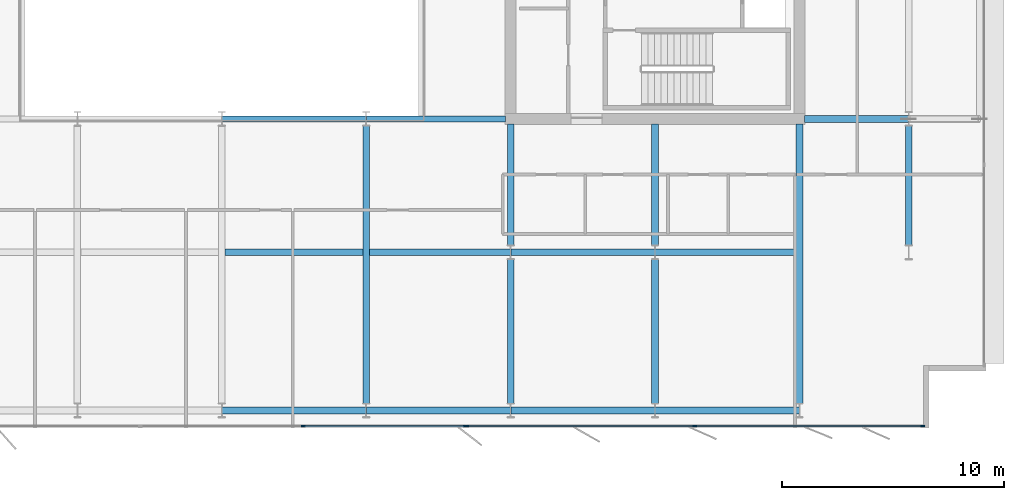
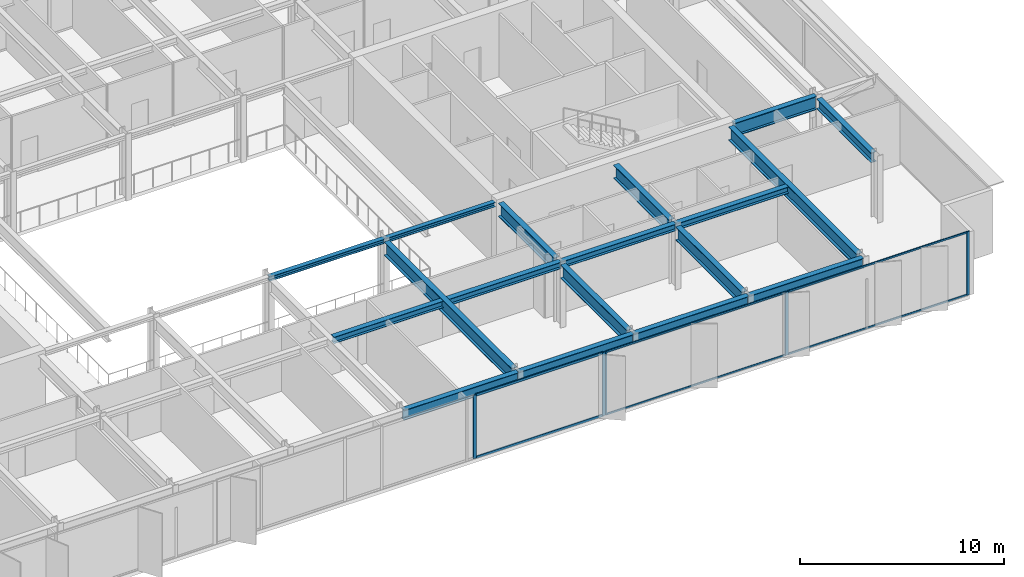
# One storey, part 6 of 20: 18 beams, 11 members, 2 elements without a shape of their own.
"""IFC4 building model written with IfcOpenShell, lengths in metres."""

import ifcopenshell
import ifcopenshell.guid

model = None  # the IFC model being written
_history = None  # IfcOwnerHistory: only IFC2X3 demands one
_inside = {}  # id of a spatial element -> (the spatial element, [elements in it])
_under = {}  # id of a project, library or spatial element -> (it, [spatial elements below it])
_declared = {}  # id of a project -> (the project, [libraries it declares])
_typed = {}  # id of a type object -> (the type object, [elements of that type])
_made_of = {}  # id of a material, layer set ... -> (it, [elements and type objects made of it])


def new_model(schema):
    """Start an empty IFC model of exactly this schema.

    Asked for "IFC4X3", IfcOpenShell would pick the latest addendum, in which some entities
    have other attributes; the version numbers below select the first issue.
    IFC2X3 requires an IfcOwnerHistory on every rooted entity: one is made here for all.
    """
    global model, _history
    if schema == "IFC4X3":
        model = ifcopenshell.file(schema_version=(4, 3, 0, 0))
    else:
        model = ifcopenshell.file(schema=schema)
    _inside.clear()
    _under.clear()
    _declared.clear()
    _typed.clear()
    _made_of.clear()
    _history = None
    if model.schema == "IFC2X3":
        org = make("IfcOrganization", Name="unknown")
        user = make(
            "IfcPersonAndOrganization",
            ThePerson=make("IfcPerson", FamilyName="unknown"),
            TheOrganization=org,
        )
        app = make(
            "IfcApplication",
            ApplicationDeveloper=org,
            Version="unknown",
            ApplicationFullName="unknown",
            ApplicationIdentifier="unknown",
        )
        _history = make(
            "IfcOwnerHistory",
            OwningUser=user,
            OwningApplication=app,
            ChangeAction="ADDED",
            CreationDate=0,
        )
    return model


def make(cls, **values):
    """One entity of the class cls with the attributes given. An attribute that is None is left unset."""
    return model.create_entity(
        cls, **{name: value for name, value in values.items() if value is not None}
    )


def rooted(cls, **values):
    """An entity with a GlobalId (a new one), such as an element, a storey or a relation."""
    return make(cls, GlobalId=ifcopenshell.guid.new(), OwnerHistory=_history, **values)


def si_unit(unit_type, name, prefix=None):
    """IfcSIUnit, for example si_unit("LENGTHUNIT", "METRE", prefix="MILLI")."""
    return make("IfcSIUnit", UnitType=unit_type, Prefix=prefix, Name=name)


def assignment(units):
    """IfcUnitAssignment: the units of a project."""
    return None if units is None else make("IfcUnitAssignment", Units=units)


def point(xyz):
    """IfcCartesianPoint."""
    return None if xyz is None else make("IfcCartesianPoint", Coordinates=xyz)


def direction(xyz):
    """IfcDirection."""
    return None if xyz is None else make("IfcDirection", DirectionRatios=xyz)


def frame(location, z_axis=None, x_axis=None):
    """IfcAxis2Placement3D, a coordinate frame: its origin and axes. An axis left out is left unset."""
    return make(
        "IfcAxis2Placement3D",
        Location=point(location),
        Axis=direction(z_axis),
        RefDirection=direction(x_axis),
    )


def frame_2d(location, x_axis=None):
    """IfcAxis2Placement2D, a coordinate frame in the plane: its origin and x axis."""
    return make(
        "IfcAxis2Placement2D", Location=point(location), RefDirection=direction(x_axis)
    )


def origin():
    """The frame at (0, 0, 0) with its axes left unset."""
    return frame((0.0, 0.0, 0.0))


def origin_2d():
    """The frame at (0, 0) in the plane with its x axis left unset."""
    return frame_2d((0.0, 0.0))


def place(relative_to, where):
    """IfcLocalPlacement: puts the frame where relative to a parent placement (None: the world)."""
    return make(
        "IfcLocalPlacement", PlacementRelTo=relative_to, RelativePlacement=where
    )


def context(
    kind, dimensions, precision=None, world=None, true_north=None, identifier=None
):
    """IfcGeometricRepresentationContext, for example the 3D "Model" context."""
    return make(
        "IfcGeometricRepresentationContext",
        ContextIdentifier=identifier,
        ContextType=kind,
        CoordinateSpaceDimension=dimensions,
        Precision=precision,
        WorldCoordinateSystem=world,
        TrueNorth=true_north,
    )


def subcontext(parent, identifier, kind, view, scale=None):
    """IfcGeometricRepresentationSubContext, for example "Body" below "Model"."""
    return make(
        "IfcGeometricRepresentationSubContext",
        ContextIdentifier=identifier,
        ContextType=kind,
        ParentContext=parent,
        TargetScale=scale,
        TargetView=view,
    )


def project(units=None, contexts=None):
    """IfcProject with its units and contexts."""
    return rooted(
        "IfcProject",
        Name="project",
        RepresentationContexts=contexts,
        UnitsInContext=assignment(units),
    )


def spatial(cls, under=None, at=None, **own):
    """A site, building, storey or space (cls), placed at a placement, below another one or the project."""
    s = rooted(cls, ObjectPlacement=at, **own)
    if under is not None:
        _under.setdefault(under.id(), (under, []))[1].append(s)
    return s


def profile(cls, at=None, kind="AREA", **sizes):
    """A parametric profile (cls). Its sizes go by their IFC names, for example OverallWidth=200.0."""
    return make(cls, ProfileType=kind, Position=at, **sizes)


def rectangle(**sizes):
    """IfcRectangleProfileDef."""
    return profile("IfcRectangleProfileDef", **sizes)


def i_section(**sizes):
    """IfcIShapeProfileDef."""
    return profile("IfcIShapeProfileDef", **sizes)


def extrude(swept, where, along, depth):
    """IfcExtrudedAreaSolid: the profile swept, set in the frame where, extruded along a direction by depth."""
    return make(
        "IfcExtrudedAreaSolid",
        SweptArea=swept,
        Position=where,
        ExtrudedDirection=direction(along),
        Depth=depth,
    )


def shape(context_of_items, identifier, shape_type, items):
    """IfcShapeRepresentation: the items that make up one representation, for example the "Body"."""
    return make(
        "IfcShapeRepresentation",
        ContextOfItems=context_of_items,
        RepresentationIdentifier=identifier,
        RepresentationType=shape_type,
        Items=items,
    )


def material(Name=None, Category=None):
    """IfcMaterial."""
    return make("IfcMaterial", Name=Name, Category=Category)


def layer(
    of_material, thickness, ventilated=None, Name=None, Category=None, Priority=None
):
    """IfcMaterialLayer: one layer of a wall or slab, of a material (None: an air gap)."""
    return make(
        "IfcMaterialLayer",
        Material=of_material,
        LayerThickness=thickness,
        IsVentilated=ventilated,
        Name=Name,
        Category=Category,
        Priority=Priority,
    )


def layer_set(layers, Name=None):
    """IfcMaterialLayerSet."""
    return make("IfcMaterialLayerSet", MaterialLayers=layers, LayerSetName=Name)


def material_profile(
    of_material, cross_section, Name=None, Category=None, Priority=None
):
    """IfcMaterialProfile: a cross section and its material."""
    return make(
        "IfcMaterialProfile",
        Name=Name,
        Material=of_material,
        Profile=cross_section,
        Priority=Priority,
        Category=Category,
    )


def profile_set(profiles, Name=None, composite=None):
    """IfcMaterialProfileSet."""
    return make(
        "IfcMaterialProfileSet",
        Name=Name,
        MaterialProfiles=profiles,
        CompositeProfile=composite,
    )


def made_of(thing, what):
    """Note that an element or type object is made of a material, layer set ...; save() writes the relation."""
    if what is not None:
        _made_of.setdefault(what.id(), (what, []))[1].append(thing)
    return thing


def type_object(cls, material=None, **own):
    """A type object (cls), such as IfcWallType, which elements share."""
    return made_of(rooted(cls, **own), material)


def element(
    cls,
    number,
    at=None,
    inside=None,
    cuts=None,
    type_object=None,
    material=None,
    context=None,
    identifier="Body",
    shape_type=None,
    held_by="IfcProductDefinitionShape",
    body=None,
    shapes=None,
    **own,
):
    """One element of the class cls, such as IfcWall. Its Tag is "e" and its number.

    at: its placement. inside: the storey or other place that contains it. cuts: it is an
    opening in that element (IfcRelVoidsElement). A single representation is given by context,
    identifier, shape_type and body (its items); several are given by shapes. held_by: the class
    of the entity that holds the representations. save() writes the other relations.
    """
    e = rooted(cls, Tag="e%d" % number, ObjectPlacement=at, **own)
    if body is not None:
        shapes = [shape(context, identifier, shape_type, body)]
    if shapes is not None:
        e.Representation = make(held_by, Representations=shapes)
    if inside is not None:
        _inside.setdefault(inside.id(), (inside, []))[1].append(e)
    if cuts is not None:
        rooted(
            "IfcRelVoidsElement", RelatingBuildingElement=cuts, RelatedOpeningElement=e
        )
    if type_object is not None:
        _typed.setdefault(type_object.id(), (type_object, []))[1].append(e)
    return made_of(e, material)


def aggregate(whole, parts):
    """IfcRelAggregates: a whole, such as a stair, and the parts it consists of."""
    return rooted("IfcRelAggregates", RelatingObject=whole, RelatedObjects=parts)


def save(model, path):
    """Write the relations noted so far, then the file.

    IfcRelAggregates (storeys below a building ...), IfcRelContainedInSpatialStructure (elements
    in a storey), IfcRelDefinesByType, IfcRelAssociatesMaterial and IfcRelDeclares: one each for
    every whole, place, type object, material and project.
    """
    for whole, parts in _under.values():
        aggregate(whole, parts)
    for where, things in _inside.values():
        rooted(
            "IfcRelContainedInSpatialStructure",
            RelatedElements=things,
            RelatingStructure=where,
        )
    for kind, things in _typed.values():
        rooted("IfcRelDefinesByType", RelatedObjects=things, RelatingType=kind)
    for what, things in _made_of.values():
        rooted("IfcRelAssociatesMaterial", RelatedObjects=things, RelatingMaterial=what)
    for by, libraries in _declared.values():
        rooted("IfcRelDeclares", RelatingContext=by, RelatedDefinitions=libraries)
    model.write(path)


model = new_model("IFC4")

# Units and contexts
model_context = context("Model", 3, precision=1e-05, world=origin(), true_north=direction((0.0, 1.0)))
body_context = subcontext(model_context, "Body", "Model", "MODEL_VIEW")
ifc_project = project(units=[si_unit("LENGTHUNIT", "METRE"), si_unit("AREAUNIT", "SQUARE_METRE"), si_unit("VOLUMEUNIT", "CUBIC_METRE"), si_unit("PLANEANGLEUNIT", "RADIAN"), si_unit("MASSUNIT", "GRAM", prefix="KILO")], contexts=[model_context])

# Site, building, storey
site_placement = place(None, origin())
site = spatial("IfcSite", under=ifc_project, at=site_placement, CompositionType="ELEMENT")
building_placement = place(site_placement, origin())
building = spatial("IfcBuilding", under=site, at=building_placement, Name="Putna Gate Headquarters", CompositionType="ELEMENT")
storey_placement = place(building_placement, frame((0.0, 0.0, 290.39990234375)))
storey = spatial("IfcBuildingStorey", under=building, at=storey_placement, Name="L73", CompositionType="ELEMENT", Elevation=290.39990234375)

# Beams
ifc_material_1 = material(Name="Steel S355J2", Category="steel")
ifc_material_profile_1 = material_profile(ifc_material_1, i_section(OverallWidth=0.260009765625, OverallDepth=0.260009765625, WebThickness=0.010009765625, FlangeThickness=0.017578125, at=origin_2d()), Name="Steel S355J2")
ifc_profile_set_1 = profile_set([ifc_material_profile_1], Name="Steel S355J2")
beam_type_1 = type_object("IfcBeamType", Name="BM-ATRIUM-HEB260", PredefinedType="BEAM", material=ifc_profile_set_1)
beam_1_placement = place(storey_placement, frame((39.006103515625, 19.0, 3.658203125), z_axis=(1.0, 0.0, 0.0), x_axis=(0.0, 1.0, 0.0)))
element("IfcBeam", 1, at=beam_1_placement, inside=storey, type_object=beam_type_1, Name="L73 Atrium Edge Beam AS3", PredefinedType="BEAM", context=body_context, shape_type="SweptSolid", body=[
    extrude(i_section(OverallWidth=0.260009765625, OverallDepth=0.260009765625, WebThickness=0.010009765625, FlangeThickness=0.017578125, at=origin_2d()), origin(), (0.0, 0.0, 1.0), 6.48779296875),
])
beam_2_placement = place(storey_placement, frame((45.506103515625, 19.0, 3.658203125), z_axis=(1.0, 0.0, 0.0), x_axis=(0.0, 1.0, 0.0)))
element("IfcBeam", 2, at=beam_2_placement, inside=storey, type_object=beam_type_1, Name="L73 Atrium Edge Beam AS4", PredefinedType="BEAM", context=body_context, shape_type="SweptSolid", body=[
    extrude(i_section(OverallWidth=0.260009765625, OverallDepth=0.260009765625, WebThickness=0.010009765625, FlangeThickness=0.017578125, at=origin_2d()), origin(), (0.0, 0.0, 1.0), 6.2587890625),
])
ifc_material_profile_2 = material_profile(ifc_material_1, i_section(OverallWidth=0.300048828125, OverallDepth=0.800048828125, WebThickness=0.017578125, FlangeThickness=0.032958984375, at=origin_2d()), Name="Steel S355J2")
ifc_profile_set_2 = profile_set([ifc_material_profile_2], Name="Steel S355J2")
beam_type_2 = type_object("IfcBeamType", Name="BM-GIRD-P-HEB800", PredefinedType="USERDEFINED", material=ifc_profile_set_2)
beam_3_placement = place(storey_placement, frame((65.235107421875, 19.0, 3.38818359375), z_axis=(1.0, 0.0, 0.0), x_axis=(0.0, 1.0, 0.0)))
element("IfcBeam", 3, at=beam_3_placement, inside=storey, type_object=beam_type_2, Name="L73 East Wing Girder Y19", ObjectType="GIRDER", PredefinedType="USERDEFINED", context=body_context, shape_type="SweptSolid", body=[
    extrude(i_section(OverallWidth=0.300048828125, OverallDepth=0.800048828125, WebThickness=0.017578125, FlangeThickness=0.032958984375, at=origin_2d()), origin(), (0.0, 0.0, 1.0), 4.678955078125),
])
beam_4_placement = place(storey_placement, frame((45.5, 6.201904296875, 3.38818359375), z_axis=(0.0, 1.0, 0.0), x_axis=(-1.0, 0.0, 0.0)))
element("IfcBeam", 4, at=beam_4_placement, inside=storey, type_object=beam_type_2, Name="L73 South Primary Girder X45", ObjectType="GIRDER", PredefinedType="USERDEFINED", context=body_context, shape_type="SweptSolid", body=[
    extrude(i_section(OverallWidth=0.300048828125, OverallDepth=0.800048828125, WebThickness=0.017578125, FlangeThickness=0.032958984375, at=origin_2d()), origin(), (0.0, 0.0, 1.0), 12.47607421875),
])
beam_5_placement = place(storey_placement, frame((52.0, 6.201904296875, 3.38818359375), z_axis=(0.0, 1.0, 0.0), x_axis=(-1.0, 0.0, 0.0)))
element("IfcBeam", 5, at=beam_5_placement, inside=storey, type_object=beam_type_2, Name="L73 South Primary Girder X52-1", ObjectType="GIRDER", PredefinedType="USERDEFINED", context=body_context, shape_type="SweptSolid", body=[
    extrude(i_section(OverallWidth=0.300048828125, OverallDepth=0.800048828125, WebThickness=0.017578125, FlangeThickness=0.032958984375, at=origin_2d()), origin(), (0.0, 0.0, 1.0), 6.47607421875),
])
beam_6_placement = place(storey_placement, frame((52.0, 13.322021484375, 3.38818359375), z_axis=(0.0, 1.0, 0.0), x_axis=(-1.0, 0.0, 0.0)))
element("IfcBeam", 6, at=beam_6_placement, inside=storey, type_object=beam_type_2, Name="L73 South Primary Girder X52-2", ObjectType="GIRDER", PredefinedType="USERDEFINED", context=body_context, shape_type="SweptSolid", body=[
    extrude(i_section(OverallWidth=0.300048828125, OverallDepth=0.800048828125, WebThickness=0.017578125, FlangeThickness=0.032958984375, at=origin_2d()), origin(), (0.0, 0.0, 1.0), 5.44287109375),
])
beam_7_placement = place(storey_placement, frame((58.5, 6.201904296875, 3.38818359375), z_axis=(0.0, 1.0, 0.0), x_axis=(-1.0, 0.0, 0.0)))
element("IfcBeam", 7, at=beam_7_placement, inside=storey, type_object=beam_type_2, Name="L73 South Primary Girder X58-1", ObjectType="GIRDER", PredefinedType="USERDEFINED", context=body_context, shape_type="SweptSolid", body=[
    extrude(i_section(OverallWidth=0.300048828125, OverallDepth=0.800048828125, WebThickness=0.017578125, FlangeThickness=0.032958984375, at=origin_2d()), origin(), (0.0, 0.0, 1.0), 6.47607421875),
])
beam_8_placement = place(storey_placement, frame((58.5, 13.322021484375, 3.38818359375), z_axis=(0.0, 1.0, 0.0), x_axis=(-1.0, 0.0, 0.0)))
element("IfcBeam", 8, at=beam_8_placement, inside=storey, type_object=beam_type_2, Name="L73 South Primary Girder X58-2", ObjectType="GIRDER", PredefinedType="USERDEFINED", context=body_context, shape_type="SweptSolid", body=[
    extrude(i_section(OverallWidth=0.300048828125, OverallDepth=0.800048828125, WebThickness=0.017578125, FlangeThickness=0.032958984375, at=origin_2d()), origin(), (0.0, 0.0, 1.0), 5.44287109375),
])
beam_9_placement = place(storey_placement, frame((65.0, 6.201904296875, 3.38818359375), z_axis=(0.0, 1.0, 0.0), x_axis=(-1.0, 0.0, 0.0)))
element("IfcBeam", 9, at=beam_9_placement, inside=storey, type_object=beam_type_2, Name="L73 South Primary Girder X65", ObjectType="GIRDER", PredefinedType="USERDEFINED", context=body_context, shape_type="SweptSolid", body=[
    extrude(i_section(OverallWidth=0.300048828125, OverallDepth=0.800048828125, WebThickness=0.017578125, FlangeThickness=0.032958984375, at=origin_2d()), origin(), (0.0, 0.0, 1.0), 12.56298828125),
])
ifc_material_profile_3 = material_profile(ifc_material_1, i_section(OverallWidth=0.300048828125, OverallDepth=0.389892578125, WebThickness=0.010986328125, FlangeThickness=0.01904296875, at=origin_2d()), Name="Steel S355J2")
ifc_profile_set_3 = profile_set([ifc_material_profile_3], Name="Steel S355J2")
beam_type_3 = type_object("IfcBeamType", Name="BM-SEC-Z5-HEA400", PredefinedType="BEAM", material=ifc_profile_set_3)
beam_10_placement = place(storey_placement, frame((39.154052734375, 13.0, 3.593017578125), z_axis=(1.0, 0.0, 0.0), x_axis=(0.0, 1.0, 0.0)))
element("IfcBeam", 10, at=beam_10_placement, inside=storey, type_object=beam_type_3, Name="L73 South Secondary Beam 5", PredefinedType="BEAM", context=body_context, shape_type="SweptSolid", body=[
    extrude(i_section(OverallWidth=0.300048828125, OverallDepth=0.389892578125, WebThickness=0.010986328125, FlangeThickness=0.01904296875, at=origin_2d()), origin(), (0.0, 0.0, 1.0), 6.19189453125),
])
beam_11_placement = place(storey_placement, frame((45.654052734375, 13.0, 3.593017578125), z_axis=(1.0, 0.0, 0.0), x_axis=(0.0, 1.0, 0.0)))
element("IfcBeam", 11, at=beam_11_placement, inside=storey, type_object=beam_type_3, Name="L73 South Secondary Beam 6", PredefinedType="BEAM", context=body_context, shape_type="SweptSolid", body=[
    extrude(i_section(OverallWidth=0.300048828125, OverallDepth=0.389892578125, WebThickness=0.010986328125, FlangeThickness=0.01904296875, at=origin_2d()), origin(), (0.0, 0.0, 1.0), 6.33984375),
])
beam_12_placement = place(storey_placement, frame((52.006103515625, 13.0, 3.593017578125), z_axis=(1.0, 0.0, 0.0), x_axis=(0.0, 1.0, 0.0)))
element("IfcBeam", 12, at=beam_12_placement, inside=storey, type_object=beam_type_3, Name="L73 South Secondary Beam 7", PredefinedType="BEAM", context=body_context, shape_type="SweptSolid", body=[
    extrude(i_section(OverallWidth=0.300048828125, OverallDepth=0.389892578125, WebThickness=0.010986328125, FlangeThickness=0.01904296875, at=origin_2d()), origin(), (0.0, 0.0, 1.0), 6.48779296875),
])
beam_13_placement = place(storey_placement, frame((58.506103515625, 13.0, 3.593017578125), z_axis=(1.0, 0.0, 0.0), x_axis=(0.0, 1.0, 0.0)))
element("IfcBeam", 13, at=beam_13_placement, inside=storey, type_object=beam_type_3, Name="L73 South Secondary Beam 8", PredefinedType="BEAM", context=body_context, shape_type="SweptSolid", body=[
    extrude(i_section(OverallWidth=0.300048828125, OverallDepth=0.389892578125, WebThickness=0.010986328125, FlangeThickness=0.01904296875, at=origin_2d()), origin(), (0.0, 0.0, 1.0), 6.33984375),
])
ifc_material_profile_4 = material_profile(ifc_material_1, i_section(OverallWidth=0.300048828125, OverallDepth=0.590087890625, WebThickness=0.012939453125, FlangeThickness=0.02490234375, at=origin_2d()), Name="Steel S355J2")
ifc_profile_set_4 = profile_set([ifc_material_profile_4], Name="Steel S355J2")
beam_type_4 = type_object("IfcBeamType", Name="BM-SPAN-Z4-HEA600", PredefinedType="SPANDREL", material=ifc_profile_set_4)
for number, where, z_axis, x_axis, name in (
    (14, (39.006103515625, 5.8798828125, 3.4931640625), (1.0, 0.0, 0.0), (0.0, 1.0, 0.0), "L73 S Perimeter Spandrel 5"),
    (15, (45.506103515625, 5.8798828125, 3.4931640625), (1.0, 0.0, 0.0), (0.0, 1.0, 0.0), "L73 S Perimeter Spandrel 6"),
    (16, (52.006103515625, 5.8798828125, 3.4931640625), (1.0, 0.0, 0.0), (0.0, 1.0, 0.0), "L73 S Perimeter Spandrel 7"),
    (17, (58.506103515625, 5.8798828125, 3.4931640625), (1.0, 0.0, 0.0), (0.0, 1.0, 0.0), "L73 S Perimeter Spandrel 8"),
):
    element("IfcBeam", number, at=place(storey_placement, frame(where, z_axis=z_axis, x_axis=x_axis)), inside=storey, type_object=beam_type_4, Name=name, PredefinedType="SPANDREL", context=body_context, shape_type="SweptSolid", body=[
        extrude(i_section(OverallWidth=0.300048828125, OverallDepth=0.590087890625, WebThickness=0.012939453125, FlangeThickness=0.02490234375, at=origin_2d()), origin(), (0.0, 0.0, 1.0), 6.48779296875),
    ])
beam_14_placement = place(storey_placement, frame((69.919921875, 13.322021484375, 3.4931640625), z_axis=(0.0, 1.0, 0.0), x_axis=(-1.0, 0.0, 0.0)))
element("IfcBeam", 18, at=beam_14_placement, inside=storey, type_object=beam_type_4, Name="L73 E End Spandrel 1", PredefinedType="SPANDREL", context=body_context, shape_type="SweptSolid", body=[
    extrude(i_section(OverallWidth=0.300048828125, OverallDepth=0.590087890625, WebThickness=0.012939453125, FlangeThickness=0.02490234375, at=origin_2d()), origin(), (0.0, 0.0, 1.0), 5.35595703125),
])

# Curtain wall, members
ifc_material_2 = material(Name="Anodised bronze aluminium curtain wall", Category="aluminium")
ifc_layer_1 = layer(ifc_material_2, 0.179931640625)
ifc_layer_set_1 = layer_set([ifc_layer_1], Name="Anodised bronze aluminium curtain wall")
curtain_wall_type_1 = type_object("IfcCurtainWallType", Name="CW-SYS-Z5", PredefinedType="USERDEFINED", material=ifc_layer_set_1)
curtain_wall_1_placement = place(storey_placement, origin())
curtain_wall_1 = element("IfcCurtainWall", 19, at=curtain_wall_1_placement, inside=storey, type_object=curtain_wall_type_1, Name="L73 South East Curtain Wall", ObjectType="STICK CURTAIN WALL", PredefinedType="USERDEFINED")
ifc_material_3 = material(Name="Anodised bronze aluminium EN AW-6060", Category="aluminium")
ifc_material_profile_5 = material_profile(ifc_material_3, rectangle(XDim=0.070068359375, YDim=0.179931640625, at=origin_2d()), Name="Anodised bronze aluminium EN AW-6060")
ifc_profile_set_5 = profile_set([ifc_material_profile_5], Name="Anodised bronze aluminium EN AW-6060")
member_type_1 = type_object("IfcMemberType", Name="MULL-CWM-5", PredefinedType="MULLION", material=ifc_profile_set_5)
member_1_placement = place(storey_placement, frame((50.034912109375, 5.179931640625, 0.0), z_axis=(0.0, 0.0, 1.0), x_axis=(0.0, 1.0, 0.0)))
member_1 = element("IfcMember", 20, at=member_1_placement, type_object=member_type_1, Name="CWS-5 mullion 1", PredefinedType="MULLION", context=body_context, shape_type="SweptSolid", body=[
    extrude(rectangle(XDim=0.070068359375, YDim=0.179931640625, at=origin_2d()), origin(), (0.0, 0.0, 1.0), 3.7880859375),
])
member_2_placement = place(storey_placement, frame((60.293701171875, 5.179931640625, 0.0), z_axis=(0.0, 0.0, 1.0), x_axis=(0.0, 1.0, 0.0)))
member_2 = element("IfcMember", 21, at=member_2_placement, type_object=member_type_1, Name="CWS-5 mullion 2", PredefinedType="MULLION", context=body_context, shape_type="SweptSolid", body=[
    extrude(rectangle(XDim=0.070068359375, YDim=0.179931640625, at=origin_2d()), origin(), (0.0, 0.0, 1.0), 3.7880859375),
])
member_3_placement = place(storey_placement, frame((70.55224609375, 5.179931640625, 0.0), z_axis=(0.0, 0.0, 1.0), x_axis=(0.0, 1.0, 0.0)))
member_3 = element("IfcMember", 22, at=member_3_placement, type_object=member_type_1, Name="CWS-5 mullion 3", PredefinedType="MULLION", context=body_context, shape_type="SweptSolid", body=[
    extrude(rectangle(XDim=0.070068359375, YDim=0.179931640625, at=origin_2d()), origin(), (0.0, 0.0, 1.0), 3.7880859375),
])

ifc_layer_2 = layer(ifc_material_2, 0.179931640625)
ifc_layer_set_2 = layer_set([ifc_layer_2], Name="Anodised bronze aluminium curtain wall")
curtain_wall_type_2 = type_object("IfcCurtainWallType", Name="CW-SYS-ATR", PredefinedType="USERDEFINED", material=ifc_layer_set_2)
curtain_wall_2_placement = place(storey_placement, origin())
curtain_wall_2 = element("IfcCurtainWall", 23, at=curtain_wall_2_placement, inside=storey, type_object=curtain_wall_type_2, Name="L73 South Atrium Clear Glazing", ObjectType="ATRIUM GLAZING", PredefinedType="USERDEFINED")
ifc_material_profile_6 = material_profile(ifc_material_3, rectangle(XDim=0.070068359375, YDim=0.179931640625, at=origin_2d()), Name="Anodised bronze aluminium EN AW-6060")
ifc_profile_set_6 = profile_set([ifc_material_profile_6], Name="Anodised bronze aluminium EN AW-6060")
member_type_2 = type_object("IfcMemberType", Name="MULL-CWM-AT", PredefinedType="MULLION", material=ifc_profile_set_6)
member_4_placement = place(storey_placement, frame((42.666748046875, 5.179931640625, 0.0), z_axis=(0.0, 0.0, 1.0), x_axis=(0.0, 1.0, 0.0)))
member_4 = element("IfcMember", 24, at=member_4_placement, type_object=member_type_2, Name="CWS-AT mullion 3", PredefinedType="MULLION", context=body_context, shape_type="SweptSolid", body=[
    extrude(rectangle(XDim=0.070068359375, YDim=0.179931640625, at=origin_2d()), origin(), (0.0, 0.0, 1.0), 3.7880859375),
])
member_5_placement = place(storey_placement, frame((49.965087890625, 5.179931640625, 0.0), z_axis=(0.0, 0.0, 1.0), x_axis=(0.0, 1.0, 0.0)))
member_5 = element("IfcMember", 25, at=member_5_placement, type_object=member_type_2, Name="CWS-AT mullion 4", PredefinedType="MULLION", context=body_context, shape_type="SweptSolid", body=[
    extrude(rectangle(XDim=0.070068359375, YDim=0.179931640625, at=origin_2d()), origin(), (0.0, 0.0, 1.0), 3.7880859375),
])

# Member
ifc_material_profile_7 = material_profile(ifc_material_3, rectangle(XDim=0.06005859375, YDim=0.10009765625, at=origin_2d()), Name="Anodised bronze aluminium EN AW-6060")
ifc_profile_set_7 = profile_set([ifc_material_profile_7], Name="Anodised bronze aluminium EN AW-6060")
member_type_3 = type_object("IfcMemberType", Name="TRAN-CWT-5", PredefinedType="USERDEFINED", material=ifc_profile_set_7)
member_6_placement = place(storey_placement, frame((50.070068359375, 5.179931640625, 0.030029296875), z_axis=(1.0, 0.0, 0.0), x_axis=(0.0, 1.0, 0.0)))
member_6 = element("IfcMember", 26, at=member_6_placement, type_object=member_type_3, Name="CWS-5 transom 1.1", ObjectType="TRANSOM", PredefinedType="USERDEFINED", context=body_context, shape_type="SweptSolid", body=[
    extrude(rectangle(XDim=0.06005859375, YDim=0.10009765625, at=origin_2d()), origin(), (0.0, 0.0, 1.0), 10.1884765625),
])

member_7_placement = place(storey_placement, frame((50.070068359375, 5.179931640625, 3.758056640625), z_axis=(1.0, 0.0, 0.0), x_axis=(0.0, 1.0, 0.0)))
member_7 = element("IfcMember", 27, at=member_7_placement, type_object=member_type_3, Name="CWS-5 transom 1.2", ObjectType="TRANSOM", PredefinedType="USERDEFINED", context=body_context, shape_type="SweptSolid", body=[
    extrude(rectangle(XDim=0.06005859375, YDim=0.10009765625, at=origin_2d()), origin(), (0.0, 0.0, 1.0), 10.1884765625),
])

member_8_placement = place(storey_placement, frame((60.32861328125, 5.179931640625, 0.030029296875), z_axis=(1.0, 0.0, 0.0), x_axis=(0.0, 1.0, 0.0)))
member_8 = element("IfcMember", 28, at=member_8_placement, type_object=member_type_3, Name="CWS-5 transom 2.1", ObjectType="TRANSOM", PredefinedType="USERDEFINED", context=body_context, shape_type="SweptSolid", body=[
    extrude(rectangle(XDim=0.06005859375, YDim=0.10009765625, at=origin_2d()), origin(), (0.0, 0.0, 1.0), 10.188720703125),
])

member_9_placement = place(storey_placement, frame((60.32861328125, 5.179931640625, 3.758056640625), z_axis=(1.0, 0.0, 0.0), x_axis=(0.0, 1.0, 0.0)))
member_9 = element("IfcMember", 29, at=member_9_placement, type_object=member_type_3, Name="CWS-5 transom 2.2", ObjectType="TRANSOM", PredefinedType="USERDEFINED", context=body_context, shape_type="SweptSolid", body=[
    extrude(rectangle(XDim=0.06005859375, YDim=0.10009765625, at=origin_2d()), origin(), (0.0, 0.0, 1.0), 10.188720703125),
])

aggregate(curtain_wall_1, [member_1, member_2, member_3, member_6, member_7, member_8, member_9])

ifc_material_profile_8 = material_profile(ifc_material_3, rectangle(XDim=0.070068359375, YDim=0.139892578125, at=origin_2d()), Name="Anodised bronze aluminium EN AW-6060")
ifc_profile_set_8 = profile_set([ifc_material_profile_8], Name="Anodised bronze aluminium EN AW-6060")
member_type_4 = type_object("IfcMemberType", Name="TRAN-CWT-AT", PredefinedType="USERDEFINED", material=ifc_profile_set_8)
member_10_placement = place(storey_placement, frame((42.70166015625, 5.179931640625, 0.03515625), z_axis=(1.0, 0.0, 0.0), x_axis=(0.0, 1.0, 0.0)))
member_10 = element("IfcMember", 30, at=member_10_placement, type_object=member_type_4, Name="CWS-AT transom 3.1", ObjectType="TRANSOM", PredefinedType="USERDEFINED", context=body_context, shape_type="SweptSolid", body=[
    extrude(rectangle(XDim=0.070068359375, YDim=0.139892578125, at=origin_2d()), origin(), (0.0, 0.0, 1.0), 7.228271484375),
])

member_11_placement = place(storey_placement, frame((42.70166015625, 5.179931640625, 3.753173828125), z_axis=(1.0, 0.0, 0.0), x_axis=(0.0, 1.0, 0.0)))
member_11 = element("IfcMember", 31, at=member_11_placement, type_object=member_type_4, Name="CWS-AT transom 3.2", ObjectType="TRANSOM", PredefinedType="USERDEFINED", context=body_context, shape_type="SweptSolid", body=[
    extrude(rectangle(XDim=0.070068359375, YDim=0.139892578125, at=origin_2d()), origin(), (0.0, 0.0, 1.0), 7.228271484375),
])

aggregate(curtain_wall_2, [member_4, member_5, member_10, member_11])

save(model, "model.ifc")
